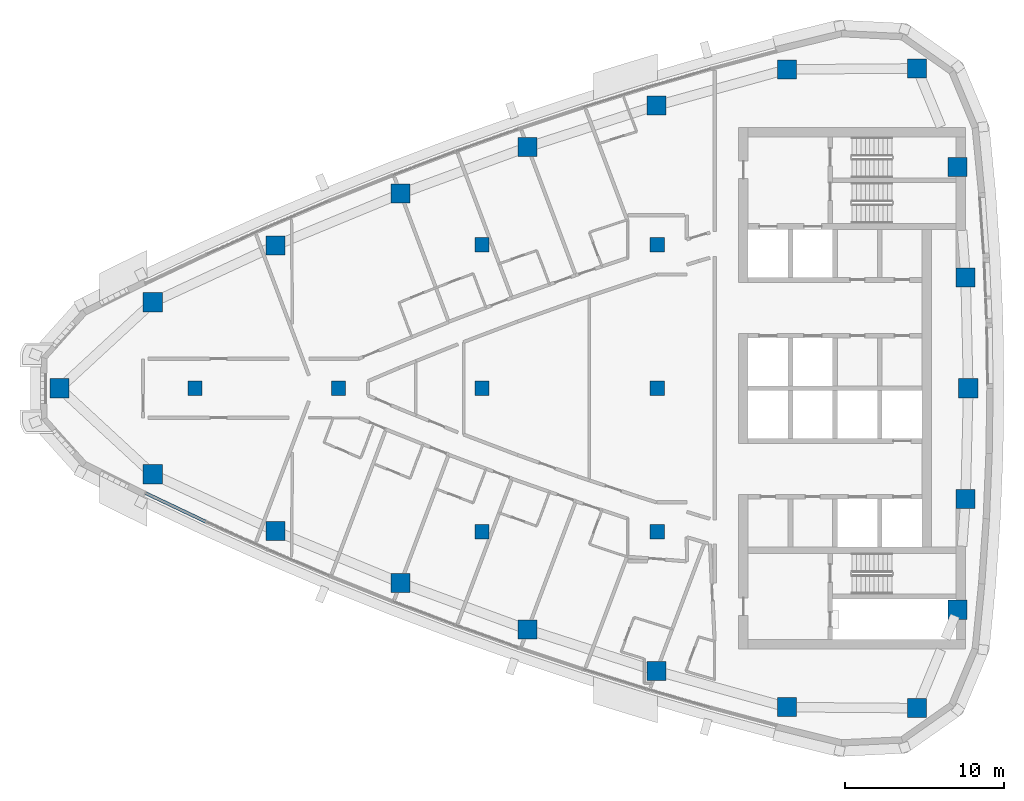
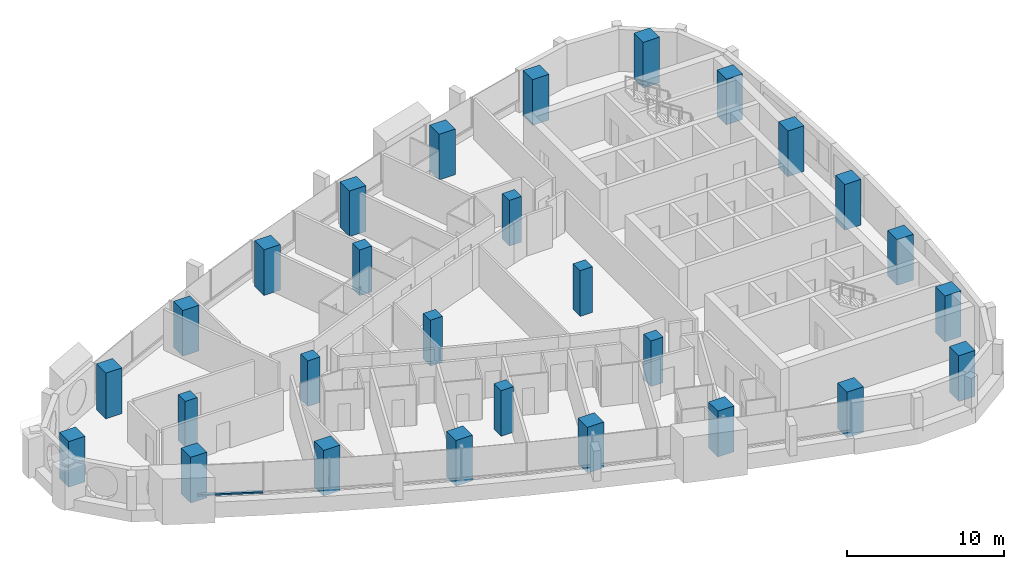
# One storey, part 1 of 16: 28 columns, 1 member, 1 element without a shape of its own.
"""IFC4 building model written with IfcOpenShell, lengths in metres."""

from ifc_helpers import new_model, si_unit, direction, frame, origin, origin_2d, place, context, subcontext, project, spatial, rectangle, extrude, material, layer, layer_set, material_profile, profile_set, type_object, element, aggregate, save


model = new_model("IFC4")

# Units and contexts
model_context = context("Model", 3, precision=1e-05, world=origin(), true_north=direction((0.0, 1.0)))
body_context = subcontext(model_context, "Body", "Model", "MODEL_VIEW")
ifc_project = project(units=[si_unit("LENGTHUNIT", "METRE"), si_unit("AREAUNIT", "SQUARE_METRE"), si_unit("VOLUMEUNIT", "CUBIC_METRE"), si_unit("PLANEANGLEUNIT", "RADIAN"), si_unit("MASSUNIT", "GRAM", prefix="KILO")], contexts=[model_context])

# Site, building, storey
site_placement = place(None, origin())
site = spatial("IfcSite", under=ifc_project, at=site_placement, CompositionType="ELEMENT")
building_placement = place(site_placement, origin())
building = spatial("IfcBuilding", under=site, at=building_placement, Name="Ostrand Prow Hotel Tower", CompositionType="ELEMENT")
storey_placement = place(building_placement, frame((0.0, 0.0, 252.75)))
storey = spatial("IfcBuildingStorey", under=building, at=storey_placement, Name="L64", CompositionType="ELEMENT", Elevation=252.75)

# Columns
ifc_material_1 = material(Name="Concrete C50/60", Category="concrete")
ifc_material_profile_1 = material_profile(ifc_material_1, rectangle(XDim=0.89990234375, YDim=0.89990234375, at=origin_2d()), Name="RC 900x900")
ifc_profile_set_1 = profile_set([ifc_material_profile_1], Name="Concrete C50/60")
column_type_1 = type_object("IfcColumnType", Name="Interior column 900x900 C50/60", PredefinedType="COLUMN", material=ifc_profile_set_1)
for number, where, z_axis, x_axis, name in (
    (1, (16.0, 0.0, 0.0), (0.0, 0.0, 1.0), (1.0, 0.0, 0.0), "Interior column 16C0"),
    (2, (25.0, 0.0, 0.0), (0.0, 0.0, 1.0), (1.0, 0.0, 0.0), "Interior column 25C0"),
    (3, (34.0, -9.0, 0.0), (0.0, 0.0, 1.0), (1.0, 0.0, 0.0), "Interior column 34S9"),
    (4, (34.0, 0.0, 0.0), (0.0, 0.0, 1.0), (1.0, 0.0, 0.0), "Interior column 34C0"),
    (5, (34.0, 9.0, 0.0), (0.0, 0.0, 1.0), (1.0, 0.0, 0.0), "Interior column 34N9"),
    (6, (45.0, -9.0, 0.0), (0.0, 0.0, 1.0), (1.0, 0.0, 0.0), "Interior column 45S9"),
    (7, (45.0, 0.0, 0.0), (0.0, 0.0, 1.0), (1.0, 0.0, 0.0), "Interior column 45C0"),
    (8, (45.0, 9.0, 0.0), (0.0, 0.0, 1.0), (1.0, 0.0, 0.0), "Interior column 45N9"),
):
    element("IfcColumn", number, at=place(storey_placement, frame(where, z_axis=z_axis, x_axis=x_axis)), inside=storey, type_object=column_type_1, Name=name, PredefinedType="COLUMN", context=body_context, shape_type="SweptSolid", body=[
        extrude(rectangle(XDim=0.89990234375, YDim=0.89990234375, at=origin_2d()), origin(), (0.0, 0.0, 1.0), 3.550048828125),
    ])
ifc_material_2 = material(Name="Concrete C50/60", Category="concrete")
ifc_material_profile_2 = material_profile(ifc_material_2, rectangle(XDim=1.199951171875, YDim=1.199951171875, at=origin_2d()), Name="RC 1200x1200")
ifc_profile_set_2 = profile_set([ifc_material_profile_2], Name="Concrete C50/60")
column_type_2 = type_object("IfcColumnType", Name="Stone-faced mega column 1200x1200 C50/60", PredefinedType="COLUMN", material=ifc_profile_set_2)
for number, where, z_axis, x_axis, name in (
    (9, (7.513916015625, 0.0, 0.0), (0.0, 0.0, 1.0), (1.0, 0.0, 0.0), "Mega column P"),
    (10, (13.356201171875, -5.392822265625, 0.0), (0.0, 0.0, 1.0), (1.0, 0.0, 0.0), "Mega column S1"),
    (11, (21.05859375, -8.95751953125, 0.0), (0.0, 0.0, 1.0), (1.0, 0.0, 0.0), "Mega column S2"),
    (12, (28.900146484375, -12.205322265625, 0.0), (0.0, 0.0, 1.0), (1.0, 0.0, 0.0), "Mega column S3"),
    (13, (36.8671875, -15.131591796875, 0.0), (0.0, 0.0, 1.0), (1.0, 0.0, 0.0), "Mega column S4"),
    (14, (44.94677734375, -17.731201171875, 0.0), (0.0, 0.0, 1.0), (1.0, 0.0, 0.0), "Mega column S5"),
    (15, (53.12548828125, -19.99951171875, 0.0), (0.0, 0.0, 1.0), (1.0, 0.0, 0.0), "Mega column S6"),
    (16, (61.283935546875, -20.06201171875, 0.0), (0.0, 0.0, 1.0), (1.0, 0.0, 0.0), "Mega column SE"),
    (17, (63.826416015625, -13.887939453125, 0.0), (0.0, 0.0, 1.0), (1.0, 0.0, 0.0), "Mega column B1"),
    (18, (64.33154296875, -6.9521484375, 0.0), (0.0, 0.0, 1.0), (1.0, 0.0, 0.0), "Mega column B2"),
    (19, (64.5, 0.0, 0.0), (0.0, 0.0, 1.0), (1.0, 0.0, 0.0), "Mega column B3"),
    (20, (64.33154296875, 6.9521484375, 0.0), (0.0, 0.0, 1.0), (1.0, 0.0, 0.0), "Mega column B4"),
    (21, (63.826416015625, 13.887939453125, 0.0), (0.0, 0.0, 1.0), (1.0, 0.0, 0.0), "Mega column B5"),
    (22, (61.283935546875, 20.06201171875, 0.0), (0.0, 0.0, 1.0), (1.0, 0.0, 0.0), "Mega column NE"),
    (23, (53.12548828125, 19.99951171875, 0.0), (0.0, 0.0, 1.0), (1.0, 0.0, 0.0), "Mega column N1"),
    (24, (44.94677734375, 17.731201171875, 0.0), (0.0, 0.0, 1.0), (1.0, 0.0, 0.0), "Mega column N2"),
    (25, (36.8671875, 15.131591796875, 0.0), (0.0, 0.0, 1.0), (1.0, 0.0, 0.0), "Mega column N3"),
    (26, (28.900146484375, 12.205322265625, 0.0), (0.0, 0.0, 1.0), (1.0, 0.0, 0.0), "Mega column N4"),
    (27, (21.05859375, 8.95751953125, 0.0), (0.0, 0.0, 1.0), (1.0, 0.0, 0.0), "Mega column N5"),
    (28, (13.356201171875, 5.392822265625, 0.0), (0.0, 0.0, 1.0), (1.0, 0.0, 0.0), "Mega column N6"),
):
    element("IfcColumn", number, at=place(storey_placement, frame(where, z_axis=z_axis, x_axis=x_axis)), inside=storey, type_object=column_type_2, Name=name, PredefinedType="COLUMN", context=body_context, shape_type="SweptSolid", body=[
        extrude(rectangle(XDim=1.199951171875, YDim=1.199951171875, at=origin_2d()), origin(), (0.0, 0.0, 1.0), 3.550048828125),
    ])

# Curtain wall, member
ifc_material_3 = material(Name="Insulated glass in bronze anodised frame", Category="glass")
ifc_layer = layer(ifc_material_3, 0.199951171875)
ifc_layer_set = layer_set([ifc_layer], Name="Insulated glass in bronze anodised frame")
curtain_wall_type = type_object("IfcCurtainWallType", Name="Strip curtain wall, fritted glass over bronze spandrel", PredefinedType="NOTDEFINED", material=ifc_layer_set)
curtain_wall_placement = place(storey_placement, origin())
curtain_wall = element("IfcCurtainWall", 29, at=curtain_wall_placement, inside=storey, type_object=curtain_wall_type, Name="CW1 run CWS1", PredefinedType="NOTDEFINED")
ifc_material_4 = material(Name="Bronze anodised aluminium", Category="aluminium")
ifc_material_profile_3 = material_profile(ifc_material_4, rectangle(XDim=0.199951171875, YDim=0.1201171875, at=origin_2d()), Name="Transom 120x200 bronze anodised aluminium")
ifc_profile_set_3 = profile_set([ifc_material_profile_3], Name="Bronze anodised aluminium")
member_type = type_object("IfcMemberType", Name="Transom 120x200 bronze anodised aluminium", PredefinedType="USERDEFINED", material=ifc_profile_set_3)
member_placement = place(storey_placement, frame((12.92041015625, -6.583740234375, 0.9599609375), z_axis=(0.903364977925, -0.428872611226, 0.0), x_axis=(0.428872611226, 0.903364977925, 0.0)))
member = element("IfcMember", 30, at=member_placement, type_object=member_type, Name="CW1 transom 1.1", ObjectType="TRANSOM", PredefinedType="USERDEFINED", context=body_context, shape_type="SweptSolid", body=[
    extrude(rectangle(XDim=0.199951171875, YDim=0.1201171875, at=origin_2d()), origin(), (0.0, 0.0, 1.0), 4.16357421875),
])
aggregate(curtain_wall, [member])

save(model, "model.ifc")
